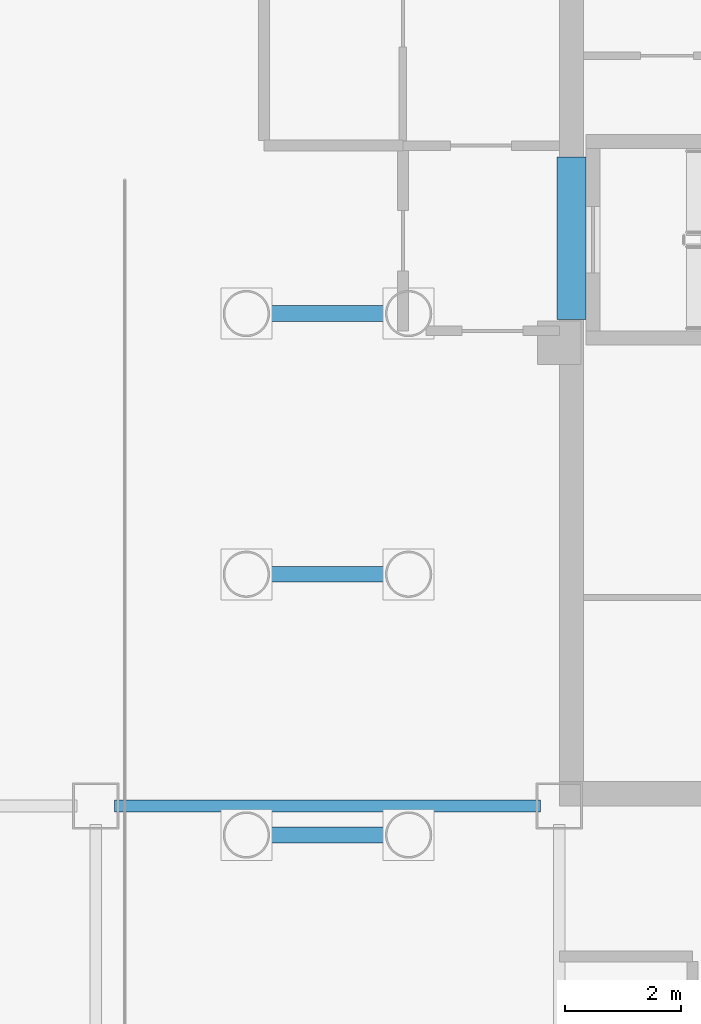
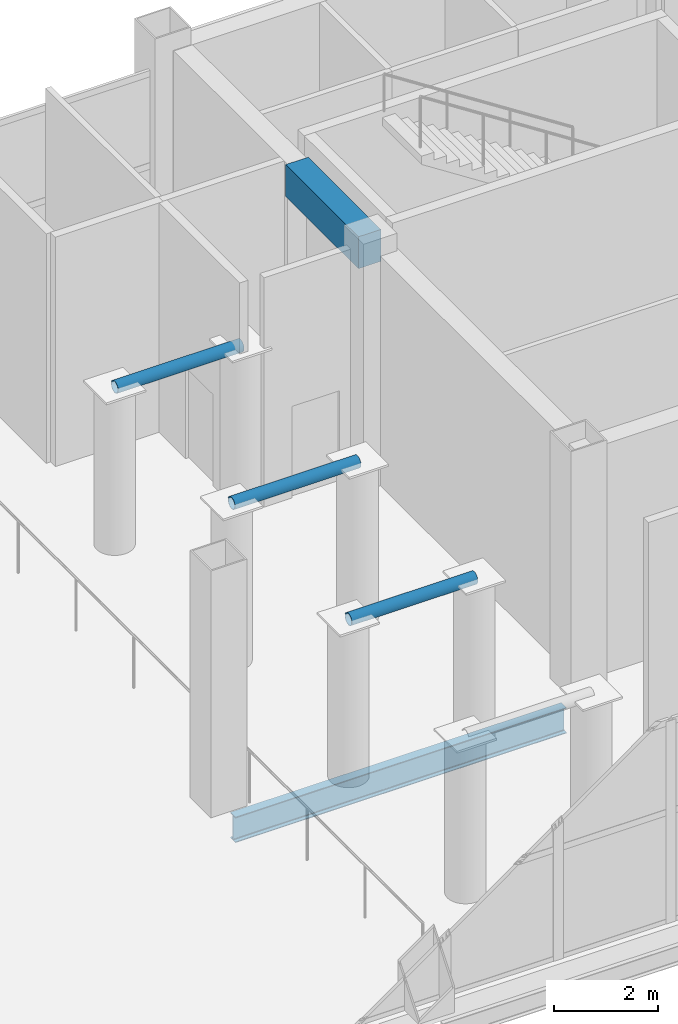
# One storey, part 7 of 18: 3 members, 2 beams.
"""IFC4 building model written with IfcOpenShell, lengths in metres."""

from ifc_helpers import new_model, si_unit, direction, frame, origin, origin_2d, place, context, subcontext, project, spatial, rectangle, hollow_circle, i_section, extrude, material, material_profile, profile_set, type_object, element, save


model = new_model("IFC4")

# Units and contexts
model_context = context("Model", 3, precision=1e-05, world=origin(), true_north=direction((0.0, 1.0)))
body_context = subcontext(model_context, "Body", "Model", "MODEL_VIEW")
ifc_project = project(units=[si_unit("LENGTHUNIT", "METRE"), si_unit("AREAUNIT", "SQUARE_METRE"), si_unit("VOLUMEUNIT", "CUBIC_METRE"), si_unit("PLANEANGLEUNIT", "RADIAN"), si_unit("MASSUNIT", "GRAM", prefix="KILO")], contexts=[model_context])

# Site, building, storey
site_placement = place(None, origin())
site = spatial("IfcSite", under=ifc_project, at=site_placement, CompositionType="ELEMENT")
building_placement = place(site_placement, origin())
building = spatial("IfcBuilding", under=site, at=building_placement, Name="Qianrong Seaharbour Tower", CompositionType="ELEMENT")
storey_placement = place(building_placement, frame((0.0, 0.0, 367.199951171875)))
storey = spatial("IfcBuildingStorey", under=building, at=storey_placement, Name="L89", CompositionType="ELEMENT", Elevation=367.199951171875)

# Beams
ifc_material_1 = material(Name="Structural steel SN490B", Category="steel")
ifc_material_profile_1 = material_profile(ifc_material_1, i_section(OverallWidth=0.199951171875, OverallDepth=0.60009765625, WebThickness=0.010986328125, FlangeThickness=0.01708984375, FilletRadius=0.02197265625, at=origin_2d()), Name="H600x200x11x17")
ifc_profile_set_1 = profile_set([ifc_material_profile_1], Name="Structural steel SN490B")
beam_type_1 = type_object("IfcBeamType", Name="BM-G-600", PredefinedType="BEAM", material=ifc_profile_set_1)
beam_1_placement = place(storey_placement, frame((32.820068359375, 36.0, -0.719970703125), z_axis=(1.0, 0.0, 0.0), x_axis=(0.0, 1.0, 0.0)))
element("IfcBeam", 1, at=beam_1_placement, inside=storey, type_object=beam_type_1, Name="L89 Primary Girder GF G5-G6", PredefinedType="BEAM", context=body_context, shape_type="SweptSolid", body=[
    extrude(i_section(OverallWidth=0.199951171875, OverallDepth=0.60009765625, WebThickness=0.010986328125, FlangeThickness=0.01708984375, FilletRadius=0.02197265625, at=origin_2d()), origin(), (0.0, 0.0, 1.0), 7.35986328125),
])
ifc_material_2 = material(Name="Concrete C60/75", Category="concrete")
ifc_material_profile_2 = material_profile(ifc_material_2, rectangle(XDim=0.5, YDim=0.75, at=origin_2d()), Name="RC500x750")
ifc_profile_set_2 = profile_set([ifc_material_profile_2], Name="Concrete C60/75")
beam_type_2 = type_object("IfcBeamType", Name="BM-LINTEL-750", PredefinedType="LINTEL", material=ifc_profile_set_2)
beam_2_placement = place(storey_placement, frame((40.7099609375, 44.39990234375, 5.01513671875), z_axis=(0.0, 1.0, 0.0), x_axis=(-1.0, 0.0, 0.0)))
element("IfcBeam", 2, at=beam_2_placement, inside=storey, type_object=beam_type_2, Name="L89 Core Coupling Lintel Beam West", PredefinedType="LINTEL", context=body_context, shape_type="SweptSolid", body=[
    extrude(rectangle(XDim=0.5, YDim=0.75, at=origin_2d()), origin(), (0.0, 0.0, 1.0), 2.800048828125),
])

# Members
ifc_material_3 = material(Name="Stainless steel SUS316L", Category="steel")
ifc_material_profile_3 = material_profile(ifc_material_3, hollow_circle(Radius=0.136474609375, WallThickness=0.010009765625, at=origin_2d()), Name="CHS273.0x10")
ifc_profile_set_3 = profile_set([ifc_material_profile_3], Name="Stainless steel SUS316L")
member_type = type_object("IfcMemberType", Name="MEM-SPIRE-STRUT", PredefinedType="STRUT", material=ifc_profile_set_3)
for number, where, z_axis, x_axis, name in (
    (3, (35.10009765625, 35.5, 3.679931640625), (1.0, 0.0, 0.0), (0.0, 1.0, 0.0), "L89 Shrouded Wind Turbine Rotor Cross-Frame WT-2"),
    (4, (35.10009765625, 40.0, 3.679931640625), (1.0, 0.0, 0.0), (0.0, 1.0, 0.0), "L89 Shrouded Wind Turbine Rotor Cross-Frame WT-3"),
    (5, (35.10009765625, 44.5, 3.679931640625), (1.0, 0.0, 0.0), (0.0, 1.0, 0.0), "L89 Shrouded Wind Turbine Rotor Cross-Frame WT-4"),
):
    element("IfcMember", number, at=place(storey_placement, frame(where, z_axis=z_axis, x_axis=x_axis)), inside=storey, type_object=member_type, Name=name, PredefinedType="STRUT", context=body_context, shape_type="SweptSolid", body=[
        extrude(hollow_circle(Radius=0.136474609375, WallThickness=0.010009765625, at=origin_2d()), origin(), (0.0, 0.0, 1.0), 2.7998046875),
    ])

save(model, "model.ifc")
